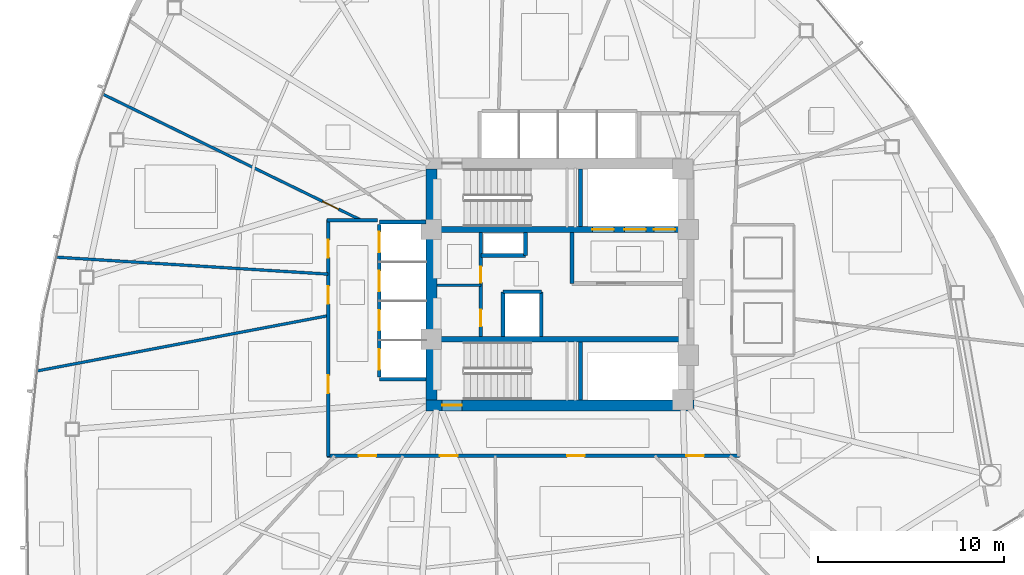
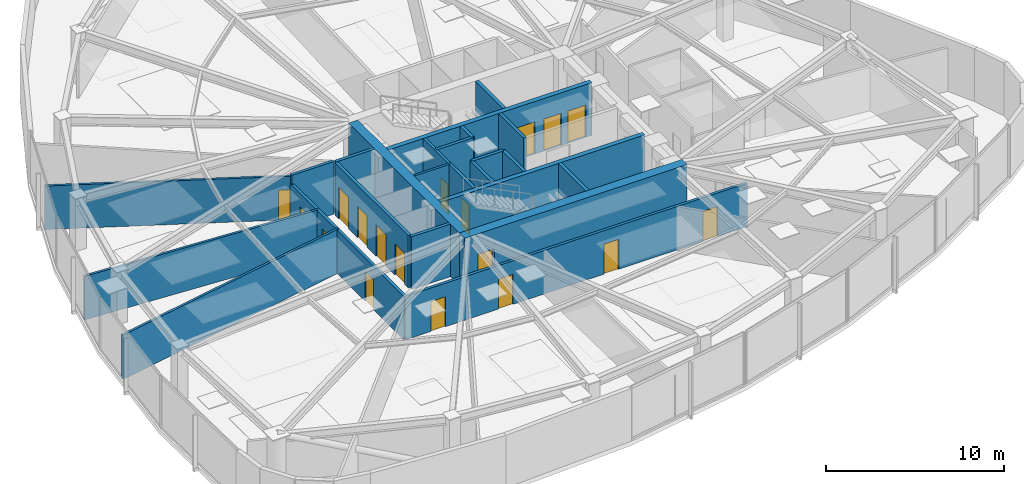
# One storey, part 11 of 17: 23 walls, 18 doors, 18 openings.
"""IFC4 building model written with IfcOpenShell, lengths in metres."""

from ifc_helpers import new_model, si_unit, direction, frame, frame_2d, origin, place, context, subcontext, project, spatial, rectangle, extrude, material, layer, layer_set, type_object, element, fill, save


model = new_model("IFC4")

# Units and contexts
model_context = context("Model", 3, precision=1e-05, world=origin(), true_north=direction((0.0, 1.0)))
body_context = subcontext(model_context, "Body", "Model", "MODEL_VIEW")
ifc_project = project(units=[si_unit("LENGTHUNIT", "METRE"), si_unit("AREAUNIT", "SQUARE_METRE"), si_unit("VOLUMEUNIT", "CUBIC_METRE"), si_unit("PLANEANGLEUNIT", "RADIAN"), si_unit("MASSUNIT", "GRAM", prefix="KILO")], contexts=[model_context])

# Site, building, storey
site_placement = place(None, origin())
site = spatial("IfcSite", under=ifc_project, at=site_placement, CompositionType="ELEMENT")
building_placement = place(site_placement, origin())
building = spatial("IfcBuilding", under=site, at=building_placement, Name="Tavelor Broadcast Tower", CompositionType="ELEMENT")
storey_placement = place(building_placement, frame((0.0, 0.0, 82.199951171875)))
storey = spatial("IfcBuildingStorey", under=building, at=storey_placement, Name="L19", CompositionType="ELEMENT", Elevation=82.199951171875)

# Wall, opening, door
ifc_material_1 = material(Name="Concrete C60/75", Category="concrete")
ifc_layer_1 = layer(ifc_material_1, 0.60009765625)
ifc_layer_set_1 = layer_set([ifc_layer_1], Name="Concrete C60/75")
wall_type_1 = type_object("IfcWallType", Name="Core Shear Wall 600 mm", PredefinedType="SHEAR", material=ifc_layer_set_1)
wall_1_placement = place(storey_placement, frame((42.800048828125, 38.5, 0.0), z_axis=(0.0, 0.0, 1.0), x_axis=(1.0, 0.0, 0.0)))
wall_1 = element("IfcWall", 1, at=wall_1_placement, inside=storey, type_object=wall_type_1, Name="L19 Central Core Shear Wall S", PredefinedType="SHEAR", context=body_context, shape_type="SweptSolid", body=[
    extrude(rectangle(XDim=14.39990234375, YDim=0.60009765625, at=frame_2d((7.199951171875, 0.0))), origin(), (0.0, 0.0, 1.0), 3.60009765625),
])
opening_1_placement = place(wall_1_placement, frame((0.8798828125, 0.0, 0.0)))
opening_1 = element("IfcOpeningElement", 2, at=opening_1_placement, cuts=wall_1, Name="Opening DR11", PredefinedType="OPENING", context=body_context, shape_type="SweptSolid", body=[
    extrude(rectangle(XDim=1.050048828125, YDim=2.199951171875, at=frame_2d((0.52490234375, 1.10009765625))), frame((0.0, 0.31005859375, 0.0), z_axis=(0.0, -1.0, 0.0), x_axis=(1.0, 0.0, 0.0)), (0.0, 0.0, 1.0), 0.6201171875),
])
ifc_material_2 = material(Name="Steel S355", Category="steel")
door_type_1 = type_object("IfcDoorType", Name="Stair Core Fire Escape Door 1050x2200", OperationType="NOTDEFINED", PredefinedType="DOOR", material=ifc_material_2)
door_1_placement = place(opening_1_placement, origin())
door_1 = element("IfcDoor", 3, at=door_1_placement, inside=storey, type_object=door_type_1, Name="L19 Stair ST2 Protected Exit Door", OperationType="SINGLE_SWING_RIGHT", OverallHeight=2.199951171875, OverallWidth=1.050048828125, PredefinedType="DOOR", context=body_context, shape_type="SweptSolid", body=[
    extrude(rectangle(XDim=1.050048828125, YDim=2.199951171875, at=frame_2d((0.52490234375, 1.10009765625))), frame((0.0, 0.02490234375, 0.0), z_axis=(0.0, -1.0, 0.0), x_axis=(1.0, 0.0, 0.0)), (0.0, 0.0, 1.0), 0.050048828125),
])
fill(opening_1, door_1)

# Wall
wall_2_placement = place(storey_placement, frame((43.10009765625, 38.800048828125, 0.0), z_axis=(0.0, 0.0, 1.0), x_axis=(0.0, 1.0, 0.0)))
element("IfcWall", 4, at=wall_2_placement, inside=storey, type_object=wall_type_1, Name="L19 Central Core Shear Wall W", PredefinedType="SHEAR", context=body_context, shape_type="SweptSolid", body=[
    extrude(rectangle(XDim=12.39990234375, YDim=0.60009765625, at=frame_2d((6.199951171875, 0.0))), origin(), (0.0, 0.0, 1.0), 3.60009765625),
])

# Wall, openings, doors
ifc_layer_2 = layer(ifc_material_1, 0.300048828125)
ifc_layer_set_2 = layer_set([ifc_layer_2], Name="Concrete C60/75")
wall_type_2 = type_object("IfcWallType", Name="Core Spine Shear Wall 300 mm C60", PredefinedType="SHEAR", material=ifc_layer_set_2)
wall_3_placement = place(storey_placement, frame((43.39990234375, 47.949951171875, 0.0), z_axis=(0.0, 0.0, 1.0), x_axis=(1.0, 0.0, 0.0)))
wall_3 = element("IfcWall", 5, at=wall_3_placement, inside=storey, type_object=wall_type_2, Name="L19 Central Core Shear Wall SP1", PredefinedType="SHEAR", context=body_context, shape_type="SweptSolid", body=[
    extrude(rectangle(XDim=13.2001953125, YDim=0.300048828125, at=frame_2d((6.60009765625, 0.0))), origin(), (0.0, 0.0, 1.0), 3.60009765625),
])
opening_2_placement = place(wall_3_placement, frame((8.344970703125, 0.0, 0.0)))
opening_2 = element("IfcOpeningElement", 6, at=opening_2_placement, cuts=wall_3, Name="Opening LD02", PredefinedType="OPENING", context=body_context, shape_type="SweptSolid", body=[
    extrude(rectangle(XDim=1.14990234375, YDim=2.199951171875, at=frame_2d((0.574951171875, 1.10009765625))), frame((0.0, 0.16015625, 0.0), z_axis=(0.0, -1.0, 0.0), x_axis=(1.0, 0.0, 0.0)), (0.0, 0.0, 1.0), 0.320068359375),
])
opening_3_placement = place(wall_3_placement, frame((10.06494140625, 0.0, 0.0)))
opening_3 = element("IfcOpeningElement", 7, at=opening_3_placement, cuts=wall_3, Name="Opening LD02", PredefinedType="OPENING", context=body_context, shape_type="SweptSolid", body=[
    extrude(rectangle(XDim=1.14990234375, YDim=2.199951171875, at=frame_2d((0.574951171875, 1.10009765625))), frame((0.0, 0.16015625, 0.0), z_axis=(0.0, -1.0, 0.0), x_axis=(1.0, 0.0, 0.0)), (0.0, 0.0, 1.0), 0.320068359375),
])
opening_4_placement = place(wall_3_placement, frame((11.64501953125, 0.0, 0.0)))
opening_4 = element("IfcOpeningElement", 8, at=opening_4_placement, cuts=wall_3, Name="Opening LD03", PredefinedType="OPENING", context=body_context, shape_type="SweptSolid", body=[
    extrude(rectangle(XDim=1.14990234375, YDim=2.199951171875, at=frame_2d((0.574951171875, 1.10009765625))), frame((0.0, 0.16015625, 0.0), z_axis=(0.0, -1.0, 0.0), x_axis=(1.0, 0.0, 0.0)), (0.0, 0.0, 1.0), 0.320068359375),
])
ifc_material_3 = material(Name="Reinforced Brushed Stainless Steel", Category="concrete")
door_type_2 = type_object("IfcDoorType", Name="Broadcast Goods Lift Sliding Landing Door 1250x2200", OperationType="NOTDEFINED", PredefinedType="DOOR", material=ifc_material_3)
door_2_placement = place(opening_4_placement, origin())
door_2 = element("IfcDoor", 9, at=door_2_placement, inside=storey, type_object=door_type_2, Name="L19 Lift SVL1 Sliding Landing Door", OperationType="SLIDING_TO_LEFT", OverallHeight=2.199951171875, OverallWidth=1.14990234375, PredefinedType="DOOR", context=body_context, shape_type="SweptSolid", body=[
    extrude(rectangle(XDim=1.14990234375, YDim=2.199951171875, at=frame_2d((0.574951171875, 1.10009765625))), frame((0.0, 0.02490234375, 0.0), z_axis=(0.0, -1.0, 0.0), x_axis=(1.0, 0.0, 0.0)), (0.0, 0.0, 1.0), 0.050048828125),
])
fill(opening_4, door_2)
ifc_material_4 = material(Name="Fire-Rated Stainless Steel", Category="steel")
door_type_3 = type_object("IfcDoorType", Name="Firefighting Lift Sliding Landing Door 1200x2200", OperationType="NOTDEFINED", PredefinedType="DOOR", material=ifc_material_4)
door_3_placement = place(opening_2_placement, origin())
door_3 = element("IfcDoor", 10, at=door_3_placement, inside=storey, type_object=door_type_3, Name="L19 Lift FFL1 Sliding Landing Door", OperationType="SLIDING_TO_LEFT", OverallHeight=2.199951171875, OverallWidth=1.14990234375, PredefinedType="DOOR", context=body_context, shape_type="SweptSolid", body=[
    extrude(rectangle(XDim=1.14990234375, YDim=2.199951171875, at=frame_2d((0.574951171875, 1.10009765625))), frame((0.0, 0.02490234375, 0.0), z_axis=(0.0, -1.0, 0.0), x_axis=(1.0, 0.0, 0.0)), (0.0, 0.0, 1.0), 0.050048828125),
])
fill(opening_2, door_3)
door_4_placement = place(opening_3_placement, origin())
door_4 = element("IfcDoor", 11, at=door_4_placement, inside=storey, type_object=door_type_3, Name="L19 Lift FFL2 Sliding Landing Door", OperationType="SLIDING_TO_LEFT", OverallHeight=2.199951171875, OverallWidth=1.14990234375, PredefinedType="DOOR", context=body_context, shape_type="SweptSolid", body=[
    extrude(rectangle(XDim=1.14990234375, YDim=2.199951171875, at=frame_2d((0.574951171875, 1.10009765625))), frame((0.0, 0.02490234375, 0.0), z_axis=(0.0, -1.0, 0.0), x_axis=(1.0, 0.0, 0.0)), (0.0, 0.0, 1.0), 0.050048828125),
])
fill(opening_3, door_4)

# Wall
wall_4_placement = place(storey_placement, frame((43.39990234375, 42.050048828125, 0.0), z_axis=(0.0, 0.0, 1.0), x_axis=(1.0, 0.0, 0.0)))
element("IfcWall", 12, at=wall_4_placement, inside=storey, type_object=wall_type_2, Name="L19 Central Core Shear Wall SP2", PredefinedType="SHEAR", context=body_context, shape_type="SweptSolid", body=[
    extrude(rectangle(XDim=13.2001953125, YDim=0.300048828125, at=frame_2d((6.60009765625, 0.0))), origin(), (0.0, 0.0, 1.0), 3.60009765625),
])

# Wall, openings, doors
ifc_material_5 = material(Name="Calcium Silicate Fire Board 180 mm", Category="gypsum")
ifc_layer_3 = layer(ifc_material_5, 0.179931640625)
ifc_layer_set_3 = layer_set([ifc_layer_3], Name="Calcium Silicate Fire Board 180 mm")
wall_type_3 = type_object("IfcWallType", Name="Fire-Rated Corridor Partition Wall 180 mm", PredefinedType="PARTITIONING", material=ifc_layer_set_3)
wall_5_placement = place(storey_placement, frame((45.75, 42.199951171875, 0.0), z_axis=(0.0, 0.0, 1.0), x_axis=(0.0, 1.0, 0.0)))
wall_5 = element("IfcWall", 13, at=wall_5_placement, inside=storey, type_object=wall_type_3, Name="L19 Core West Service East Wall", PredefinedType="PARTITIONING", context=body_context, shape_type="SweptSolid", body=[
    extrude(rectangle(XDim=5.60009765625, YDim=0.179931640625, at=frame_2d((2.800048828125, 0.0))), origin(), (0.0, 0.0, 1.0), 3.60009765625),
])
opening_5_placement = place(wall_5_placement, frame((0.550048828125, 0.0, 0.0)))
opening_5 = element("IfcOpeningElement", 14, at=opening_5_placement, cuts=wall_5, Name="Opening DR32", PredefinedType="OPENING", context=body_context, shape_type="SweptSolid", body=[
    extrude(rectangle(XDim=0.89990234375, YDim=2.050048828125, at=frame_2d((0.449951171875, 1.02490234375))), frame((0.0, 0.10009765625, 0.0), z_axis=(0.0, -1.0, 0.0), x_axis=(1.0, 0.0, 0.0)), (0.0, 0.0, 1.0), 0.199951171875),
])
opening_6_placement = place(wall_5_placement, frame((2.89990234375, 0.0, 0.0)))
opening_6 = element("IfcOpeningElement", 15, at=opening_6_placement, cuts=wall_5, Name="Opening DR36", PredefinedType="OPENING", context=body_context, shape_type="SweptSolid", body=[
    extrude(rectangle(XDim=0.85009765625, YDim=2.050048828125, at=frame_2d((0.425048828125, 1.02490234375))), frame((0.0, 0.10009765625, 0.0), z_axis=(0.0, -1.0, 0.0), x_axis=(1.0, 0.0, 0.0)), (0.0, 0.0, 1.0), 0.199951171875),
])
ifc_material_6 = material(Name="Timber Solid Core Hardwood", Category="wood")
door_type_4 = type_object("IfcDoorType", Name="Accessible Washroom Door 900x2050", OperationType="NOTDEFINED", PredefinedType="DOOR", material=ifc_material_6)
door_5_placement = place(opening_5_placement, origin())
door_5 = element("IfcDoor", 16, at=door_5_placement, inside=storey, type_object=door_type_4, Name="L19 Core Accessible WC Door", OperationType="SINGLE_SWING_LEFT", OverallHeight=2.050048828125, OverallWidth=0.89990234375, PredefinedType="DOOR", context=body_context, shape_type="SweptSolid", body=[
    extrude(rectangle(XDim=0.89990234375, YDim=2.050048828125, at=frame_2d((0.449951171875, 1.02490234375))), frame((0.0, 0.02490234375, 0.0), z_axis=(0.0, -1.0, 0.0), x_axis=(1.0, 0.0, 0.0)), (0.0, 0.0, 1.0), 0.050048828125),
])
fill(opening_5, door_5)
door_type_5 = type_object("IfcDoorType", Name="Service Room Fire Door 850x2050", OperationType="NOTDEFINED", PredefinedType="DOOR", material=ifc_material_2)
door_6_placement = place(opening_6_placement, origin())
door_6 = element("IfcDoor", 17, at=door_6_placement, inside=storey, type_object=door_type_5, Name="L19 Core Cleaner Store Door", OperationType="SINGLE_SWING_RIGHT", OverallHeight=2.050048828125, OverallWidth=0.85009765625, PredefinedType="DOOR", context=body_context, shape_type="SweptSolid", body=[
    extrude(rectangle(XDim=0.85009765625, YDim=2.050048828125, at=frame_2d((0.425048828125, 1.02490234375))), frame((0.0, 0.02490234375, 0.0), z_axis=(0.0, -1.0, 0.0), x_axis=(1.0, 0.0, 0.0)), (0.0, 0.0, 1.0), 0.050048828125),
])
fill(opening_6, door_6)

wall_6_placement = place(storey_placement, frame((59.64990234375, 35.800048828125, 0.0), z_axis=(0.0, 0.0, 1.0), x_axis=(-1.0, 0.0, 0.0)))
wall_6 = element("IfcWall", 18, at=wall_6_placement, inside=storey, type_object=wall_type_3, Name="L19 Corridor Compartment Wall 04", PredefinedType="PARTITIONING", context=body_context, shape_type="SweptSolid", body=[
    extrude(rectangle(XDim=22.14990234375, YDim=0.179931640625, at=frame_2d((11.074951171875, 0.0))), origin(), (0.0, 0.0, 1.0), 2.97509765625),
])
opening_7_placement = place(wall_6_placement, frame((1.9111328125, 0.0, 0.0)))
opening_7 = element("IfcOpeningElement", 19, at=opening_7_placement, cuts=wall_6, Name="Opening DR18", PredefinedType="OPENING", context=body_context, shape_type="SweptSolid", body=[
    extrude(rectangle(XDim=0.949951171875, YDim=2.050048828125, at=frame_2d((0.47509765625, 1.02490234375))), frame((0.0, 0.10009765625, 0.0), z_axis=(0.0, -1.0, 0.0), x_axis=(1.0, 0.0, 0.0)), (0.0, 0.0, 1.0), 0.199951171875),
])
opening_8_placement = place(wall_6_placement, frame((8.31396484375, 0.0, 0.0)))
opening_8 = element("IfcOpeningElement", 20, at=opening_8_placement, cuts=wall_6, Name="Opening DR18", PredefinedType="OPENING", context=body_context, shape_type="SweptSolid", body=[
    extrude(rectangle(XDim=0.949951171875, YDim=2.050048828125, at=frame_2d((0.47509765625, 1.02490234375))), frame((0.0, 0.10009765625, 0.0), z_axis=(0.0, -1.0, 0.0), x_axis=(1.0, 0.0, 0.0)), (0.0, 0.0, 1.0), 0.199951171875),
])
opening_9_placement = place(wall_6_placement, frame((15.14697265625, 0.0, 0.0)))
opening_9 = element("IfcOpeningElement", 21, at=opening_9_placement, cuts=wall_6, Name="Opening DR18", PredefinedType="OPENING", context=body_context, shape_type="SweptSolid", body=[
    extrude(rectangle(XDim=0.949951171875, YDim=2.050048828125, at=frame_2d((0.47509765625, 1.02490234375))), frame((0.0, 0.10009765625, 0.0), z_axis=(0.0, -1.0, 0.0), x_axis=(1.0, 0.0, 0.0)), (0.0, 0.0, 1.0), 0.199951171875),
])
opening_10_placement = place(wall_6_placement, frame((19.5166015625, 0.0, 0.0)))
opening_10 = element("IfcOpeningElement", 22, at=opening_10_placement, cuts=wall_6, Name="Opening DR18", PredefinedType="OPENING", context=body_context, shape_type="SweptSolid", body=[
    extrude(rectangle(XDim=0.949951171875, YDim=2.050048828125, at=frame_2d((0.47509765625, 1.02490234375))), frame((0.0, 0.10009765625, 0.0), z_axis=(0.0, -1.0, 0.0), x_axis=(1.0, 0.0, 0.0)), (0.0, 0.0, 1.0), 0.199951171875),
])
door_type_6 = type_object("IfcDoorType", Name="Corridor Rated Compartment Door 950x2050", OperationType="NOTDEFINED", PredefinedType="DOOR", material=ifc_material_6)
door_7_placement = place(opening_7_placement, origin())
door_7 = element("IfcDoor", 23, at=door_7_placement, inside=storey, type_object=door_type_6, Name="L19 Digital Publishing Workspace Door R0", OperationType="SINGLE_SWING_LEFT", OverallHeight=2.050048828125, OverallWidth=0.949951171875, PredefinedType="DOOR", context=body_context, shape_type="SweptSolid", body=[
    extrude(rectangle(XDim=0.949951171875, YDim=2.050048828125, at=frame_2d((0.47509765625, 1.02490234375))), frame((0.0, 0.02490234375, 0.0), z_axis=(0.0, -1.0, 0.0), x_axis=(1.0, 0.0, 0.0)), (0.0, 0.0, 1.0), 0.050048828125),
])
fill(opening_7, door_7)
door_8_placement = place(opening_8_placement, origin())
door_8 = element("IfcDoor", 24, at=door_8_placement, inside=storey, type_object=door_type_6, Name="L19 Broadcast Editorial Office Door R1", OperationType="SINGLE_SWING_RIGHT", OverallHeight=2.050048828125, OverallWidth=0.949951171875, PredefinedType="DOOR", context=body_context, shape_type="SweptSolid", body=[
    extrude(rectangle(XDim=0.949951171875, YDim=2.050048828125, at=frame_2d((0.47509765625, 1.02490234375))), frame((0.0, 0.02490234375, 0.0), z_axis=(0.0, -1.0, 0.0), x_axis=(1.0, 0.0, 0.0)), (0.0, 0.0, 1.0), 0.050048828125),
])
fill(opening_8, door_8)
door_9_placement = place(opening_9_placement, origin())
door_9 = element("IfcDoor", 25, at=door_9_placement, inside=storey, type_object=door_type_6, Name="L19 Investigative News Desk Door R2", OperationType="SINGLE_SWING_LEFT", OverallHeight=2.050048828125, OverallWidth=0.949951171875, PredefinedType="DOOR", context=body_context, shape_type="SweptSolid", body=[
    extrude(rectangle(XDim=0.949951171875, YDim=2.050048828125, at=frame_2d((0.47509765625, 1.02490234375))), frame((0.0, 0.02490234375, 0.0), z_axis=(0.0, -1.0, 0.0), x_axis=(1.0, 0.0, 0.0)), (0.0, 0.0, 1.0), 0.050048828125),
])
fill(opening_9, door_9)
door_10_placement = place(opening_10_placement, origin())
door_10 = element("IfcDoor", 26, at=door_10_placement, inside=storey, type_object=door_type_6, Name="L19 Syndication Legal Office Door R3", OperationType="SINGLE_SWING_RIGHT", OverallHeight=2.050048828125, OverallWidth=0.949951171875, PredefinedType="DOOR", context=body_context, shape_type="SweptSolid", body=[
    extrude(rectangle(XDim=0.949951171875, YDim=2.050048828125, at=frame_2d((0.47509765625, 1.02490234375))), frame((0.0, 0.02490234375, 0.0), z_axis=(0.0, -1.0, 0.0), x_axis=(1.0, 0.0, 0.0)), (0.0, 0.0, 1.0), 0.050048828125),
])
fill(opening_10, door_10)

wall_7_placement = place(storey_placement, frame((37.550048828125, 35.75, 0.0), z_axis=(0.0, 0.0, 1.0), x_axis=(0.0, 1.0, 0.0)))
wall_7 = element("IfcWall", 27, at=wall_7_placement, inside=storey, type_object=wall_type_3, Name="L19 Corridor Compartment Wall 05", PredefinedType="PARTITIONING", context=body_context, shape_type="SweptSolid", body=[
    extrude(rectangle(XDim=12.75, YDim=0.179931640625, at=frame_2d((6.375, 0.0))), origin(), (0.0, 0.0, 1.0), 2.97509765625),
])
opening_11_placement = place(wall_7_placement, frame((3.41650390625, 0.0, 0.0)))
opening_11 = element("IfcOpeningElement", 28, at=opening_11_placement, cuts=wall_7, Name="Opening DR18", PredefinedType="OPENING", context=body_context, shape_type="SweptSolid", body=[
    extrude(rectangle(XDim=0.949951171875, YDim=2.050048828125, at=frame_2d((0.47509765625, 1.02490234375))), frame((0.0, 0.10009765625, 0.0), z_axis=(0.0, -1.0, 0.0), x_axis=(1.0, 0.0, 0.0)), (0.0, 0.0, 1.0), 0.199951171875),
])
opening_12_placement = place(wall_7_placement, frame((8.204833984375, 0.0, 0.0)))
opening_12 = element("IfcOpeningElement", 29, at=opening_12_placement, cuts=wall_7, Name="Opening DR18", PredefinedType="OPENING", context=body_context, shape_type="SweptSolid", body=[
    extrude(rectangle(XDim=0.949951171875, YDim=2.050048828125, at=frame_2d((0.47509765625, 1.02490234375))), frame((0.0, 0.10009765625, 0.0), z_axis=(0.0, -1.0, 0.0), x_axis=(1.0, 0.0, 0.0)), (0.0, 0.0, 1.0), 0.199951171875),
])
opening_13_placement = place(wall_7_placement, frame((10.6865234375, 0.0, 0.0)))
opening_13 = element("IfcOpeningElement", 30, at=opening_13_placement, cuts=wall_7, Name="Opening DR18", PredefinedType="OPENING", context=body_context, shape_type="SweptSolid", body=[
    extrude(rectangle(XDim=0.949951171875, YDim=2.050048828125, at=frame_2d((0.47509765625, 1.02490234375))), frame((0.0, 0.10009765625, 0.0), z_axis=(0.0, -1.0, 0.0), x_axis=(1.0, 0.0, 0.0)), (0.0, 0.0, 1.0), 0.199951171875),
])
door_11_placement = place(opening_11_placement, origin())
door_11 = element("IfcDoor", 31, at=door_11_placement, inside=storey, type_object=door_type_6, Name="L19 International Bureau Office Door R4", OperationType="SINGLE_SWING_LEFT", OverallHeight=2.050048828125, OverallWidth=0.949951171875, PredefinedType="DOOR", context=body_context, shape_type="SweptSolid", body=[
    extrude(rectangle(XDim=0.949951171875, YDim=2.050048828125, at=frame_2d((0.47509765625, 1.02490234375))), frame((0.0, 0.02490234375, 0.0), z_axis=(0.0, -1.0, 0.0), x_axis=(1.0, 0.0, 0.0)), (0.0, 0.0, 1.0), 0.050048828125),
])
fill(opening_11, door_11)
door_12_placement = place(opening_12_placement, origin())
door_12 = element("IfcDoor", 32, at=door_12_placement, inside=storey, type_object=door_type_6, Name="L19 Documentary Planning Office Door R5", OperationType="SINGLE_SWING_RIGHT", OverallHeight=2.050048828125, OverallWidth=0.949951171875, PredefinedType="DOOR", context=body_context, shape_type="SweptSolid", body=[
    extrude(rectangle(XDim=0.949951171875, YDim=2.050048828125, at=frame_2d((0.47509765625, 1.02490234375))), frame((0.0, 0.02490234375, 0.0), z_axis=(0.0, -1.0, 0.0), x_axis=(1.0, 0.0, 0.0)), (0.0, 0.0, 1.0), 0.050048828125),
])
fill(opening_12, door_12)
door_13_placement = place(opening_13_placement, origin())
door_13 = element("IfcDoor", 33, at=door_13_placement, inside=storey, type_object=door_type_6, Name="L19 Digital Publishing Workspace Door R6", OperationType="SINGLE_SWING_LEFT", OverallHeight=2.050048828125, OverallWidth=0.949951171875, PredefinedType="DOOR", context=body_context, shape_type="SweptSolid", body=[
    extrude(rectangle(XDim=0.949951171875, YDim=2.050048828125, at=frame_2d((0.47509765625, 1.02490234375))), frame((0.0, 0.02490234375, 0.0), z_axis=(0.0, -1.0, 0.0), x_axis=(1.0, 0.0, 0.0)), (0.0, 0.0, 1.0), 0.050048828125),
])
fill(opening_13, door_13)

# Walls
wall_8_placement = place(storey_placement, frame((37.5, 48.449951171875, 0.0), z_axis=(0.0, 0.0, 1.0), x_axis=(1.0, 0.0, 0.0)))
element("IfcWall", 34, at=wall_8_placement, inside=storey, type_object=wall_type_3, Name="L19 Corridor Compartment Wall 06", PredefinedType="PARTITIONING", context=body_context, shape_type="SweptSolid", body=[
    extrude(rectangle(XDim=2.699951171875, YDim=0.179931640625, at=frame_2d((1.35009765625, 0.0))), origin(), (0.0, 0.0, 1.0), 3.60009765625),
])
ifc_material_7 = material(Name="Gypsum Acoustic Plasterboard 150 mm", Category="gypsum")
ifc_layer_4 = layer(ifc_material_7, 0.14990234375)
ifc_layer_set_4 = layer_set([ifc_layer_4], Name="Gypsum Acoustic Plasterboard 150 mm")
wall_type_4 = type_object("IfcWallType", Name="Interior Acoustic Partition Wall 150 mm", PredefinedType="PARTITIONING", material=ifc_layer_set_4)
wall_9_placement = place(storey_placement, frame((43.39990234375, 44.949951171875, 0.0), z_axis=(0.0, 0.0, 1.0), x_axis=(1.0, 0.0, 0.0)))
element("IfcWall", 35, at=wall_9_placement, inside=storey, type_object=wall_type_4, Name="L19 Core Split Wall A", PredefinedType="PARTITIONING", context=body_context, shape_type="SweptSolid", body=[
    extrude(rectangle(XDim=2.35009765625, YDim=0.14990234375, at=frame_2d((1.175048828125, 0.0))), origin(), (0.0, 0.0, 1.0), 3.60009765625),
])

# Wall, opening, door
wall_10_placement = place(storey_placement, frame((39.326416015625, 48.449951171875, 0.0), z_axis=(0.0, 0.0, 1.0), x_axis=(-0.89879396691, 0.438371309561, 0.0)))
wall_10 = element("IfcWall", 36, at=wall_10_placement, inside=storey, type_object=wall_type_4, Name="L19 Radial Compartment Wall 01", PredefinedType="PARTITIONING", context=body_context, shape_type="SweptSolid", body=[
    extrude(rectangle(XDim=15.444580078125, YDim=0.14990234375, at=frame_2d((7.72216796875, 0.0))), origin(), (0.0, 0.0, 1.0), 2.97509765625),
])
opening_14_placement = place(wall_10_placement, frame((1.35009765625, 0.0, 0.0)))
opening_14 = element("IfcOpeningElement", 37, at=opening_14_placement, cuts=wall_10, Name="Opening DR18", PredefinedType="OPENING", context=body_context, shape_type="SweptSolid", body=[
    extrude(rectangle(XDim=0.949951171875, YDim=2.050048828125, at=frame_2d((0.47509765625, 1.02490234375))), frame((0.0, 0.0849609375, 0.0), z_axis=(0.0, -1.0, 0.0), x_axis=(1.0, 0.0, 0.0)), (0.0, 0.0, 1.0), 0.169921875),
])
door_14_placement = place(opening_14_placement, origin())
door_14 = element("IfcDoor", 38, at=door_14_placement, inside=storey, type_object=door_type_6, Name="L19 Suite Connecting Door 7", OperationType="SINGLE_SWING_RIGHT", OverallHeight=2.050048828125, OverallWidth=0.949951171875, PredefinedType="DOOR", context=body_context, shape_type="SweptSolid", body=[
    extrude(rectangle(XDim=0.949951171875, YDim=2.050048828125, at=frame_2d((0.47509765625, 1.02490234375))), frame((0.0, 0.02490234375, 0.0), z_axis=(0.0, -1.0, 0.0), x_axis=(1.0, 0.0, 0.0)), (0.0, 0.0, 1.0), 0.050048828125),
])
fill(opening_14, door_14)

# Walls
wall_11_placement = place(storey_placement, frame((37.550048828125, 45.552001953125, 0.0), z_axis=(0.0, 0.0, 1.0), x_axis=(-0.998061005834, 0.062243301925, 0.0)))
element("IfcWall", 39, at=wall_11_placement, inside=storey, type_object=wall_type_4, Name="L19 Radial Compartment Wall 02", PredefinedType="PARTITIONING", context=body_context, shape_type="SweptSolid", body=[
    extrude(rectangle(XDim=14.63818359375, YDim=0.14990234375, at=frame_2d((7.319091796875, 0.0))), origin(), (0.0, 0.0, 1.0), 2.97509765625),
])
wall_12_placement = place(storey_placement, frame((37.550048828125, 43.3193359375, 0.0), z_axis=(0.0, 0.0, 1.0), x_axis=(-0.982440561117, -0.186575839467, 0.0)))
element("IfcWall", 40, at=wall_12_placement, inside=storey, type_object=wall_type_4, Name="L19 Radial Compartment Wall 03", PredefinedType="PARTITIONING", context=body_context, shape_type="SweptSolid", body=[
    extrude(rectangle(XDim=15.9208984375, YDim=0.14990234375, at=frame_2d((7.96044921875, 0.0))), origin(), (0.0, 0.0, 1.0), 3.025146484375),
])

# Wall, openings, doors
ifc_material_8 = material(Name="Concrete Blockwork 200 mm", Category="masonry")
ifc_layer_5 = layer(ifc_material_8, 0.199951171875)
ifc_layer_set_5 = layer_set([ifc_layer_5], Name="Concrete Blockwork 200 mm")
wall_type_5 = type_object("IfcWallType", Name="Lift Hoistway Rated Front Wall 200 mm", PredefinedType="PARTITIONING", material=ifc_layer_set_5)
wall_13_placement = place(storey_placement, frame((40.300048828125, 40.02001953125, 0.0), z_axis=(0.0, 0.0, 1.0), x_axis=(0.0, 1.0, 0.0)))
wall_13 = element("IfcWall", 41, at=wall_13_placement, inside=storey, type_object=wall_type_5, Name="L19 Low-Rise Lift Hoistway Front Wall", PredefinedType="PARTITIONING", context=body_context, shape_type="SweptSolid", body=[
    extrude(rectangle(XDim=8.2099609375, YDim=0.199951171875, at=frame_2d((4.10498046875, 0.0))), origin(), (0.0, 0.0, 1.0), 3.60009765625),
])
opening_15_placement = place(wall_13_placement, frame((0.405029296875, 0.0, 0.0)))
opening_15 = element("IfcOpeningElement", 42, at=opening_15_placement, cuts=wall_13, Name="Opening LD01", PredefinedType="OPENING", context=body_context, shape_type="SweptSolid", body=[
    extrude(rectangle(XDim=1.10009765625, YDim=2.14990234375, at=frame_2d((0.550048828125, 1.074951171875))), frame((0.0, 0.10986328125, 0.0), z_axis=(0.0, -1.0, 0.0), x_axis=(1.0, 0.0, 0.0)), (0.0, 0.0, 1.0), 0.219970703125),
])
opening_16_placement = place(wall_13_placement, frame((2.5048828125, 0.0, 0.0)))
opening_16 = element("IfcOpeningElement", 43, at=opening_16_placement, cuts=wall_13, Name="Opening LD01", PredefinedType="OPENING", context=body_context, shape_type="SweptSolid", body=[
    extrude(rectangle(XDim=1.10009765625, YDim=2.14990234375, at=frame_2d((0.550048828125, 1.074951171875))), frame((0.0, 0.10986328125, 0.0), z_axis=(0.0, -1.0, 0.0), x_axis=(1.0, 0.0, 0.0)), (0.0, 0.0, 1.0), 0.219970703125),
])
opening_17_placement = place(wall_13_placement, frame((4.60498046875, 0.0, 0.0)))
opening_17 = element("IfcOpeningElement", 44, at=opening_17_placement, cuts=wall_13, Name="Opening LD01", PredefinedType="OPENING", context=body_context, shape_type="SweptSolid", body=[
    extrude(rectangle(XDim=1.10009765625, YDim=2.14990234375, at=frame_2d((0.550048828125, 1.074951171875))), frame((0.0, 0.10986328125, 0.0), z_axis=(0.0, -1.0, 0.0), x_axis=(1.0, 0.0, 0.0)), (0.0, 0.0, 1.0), 0.219970703125),
])
opening_18_placement = place(wall_13_placement, frame((6.705078125, 0.0, 0.0)))
opening_18 = element("IfcOpeningElement", 45, at=opening_18_placement, cuts=wall_13, Name="Opening LD01", PredefinedType="OPENING", context=body_context, shape_type="SweptSolid", body=[
    extrude(rectangle(XDim=1.10009765625, YDim=2.14990234375, at=frame_2d((0.550048828125, 1.074951171875))), frame((0.0, 0.10986328125, 0.0), z_axis=(0.0, -1.0, 0.0), x_axis=(1.0, 0.0, 0.0)), (0.0, 0.0, 1.0), 0.219970703125),
])
ifc_material_9 = material(Name="Brushed Stainless Steel", Category="steel")
door_type_7 = type_object("IfcDoorType", Name="Passenger Lift Sliding Landing Door 1100x2150", OperationType="NOTDEFINED", PredefinedType="DOOR", material=ifc_material_9)
door_15_placement = place(opening_15_placement, origin())
door_15 = element("IfcDoor", 46, at=door_15_placement, inside=storey, type_object=door_type_7, Name="L19 Lift PLL1 Sliding Landing Door", OperationType="SLIDING_TO_LEFT", OverallHeight=2.14990234375, OverallWidth=1.10009765625, PredefinedType="DOOR", context=body_context, shape_type="SweptSolid", body=[
    extrude(rectangle(XDim=1.10009765625, YDim=2.14990234375, at=frame_2d((0.550048828125, 1.074951171875))), frame((0.0, 0.02490234375, 0.0), z_axis=(0.0, -1.0, 0.0), x_axis=(1.0, 0.0, 0.0)), (0.0, 0.0, 1.0), 0.050048828125),
])
fill(opening_15, door_15)
door_16_placement = place(opening_16_placement, origin())
door_16 = element("IfcDoor", 47, at=door_16_placement, inside=storey, type_object=door_type_7, Name="L19 Lift PLL2 Sliding Landing Door", OperationType="SLIDING_TO_RIGHT", OverallHeight=2.14990234375, OverallWidth=1.10009765625, PredefinedType="DOOR", context=body_context, shape_type="SweptSolid", body=[
    extrude(rectangle(XDim=1.10009765625, YDim=2.14990234375, at=frame_2d((0.550048828125, 1.074951171875))), frame((0.0, 0.02490234375, 0.0), z_axis=(0.0, -1.0, 0.0), x_axis=(1.0, 0.0, 0.0)), (0.0, 0.0, 1.0), 0.050048828125),
])
fill(opening_16, door_16)
door_17_placement = place(opening_17_placement, origin())
door_17 = element("IfcDoor", 48, at=door_17_placement, inside=storey, type_object=door_type_7, Name="L19 Lift PLL3 Sliding Landing Door", OperationType="SLIDING_TO_LEFT", OverallHeight=2.14990234375, OverallWidth=1.10009765625, PredefinedType="DOOR", context=body_context, shape_type="SweptSolid", body=[
    extrude(rectangle(XDim=1.10009765625, YDim=2.14990234375, at=frame_2d((0.550048828125, 1.074951171875))), frame((0.0, 0.02490234375, 0.0), z_axis=(0.0, -1.0, 0.0), x_axis=(1.0, 0.0, 0.0)), (0.0, 0.0, 1.0), 0.050048828125),
])
fill(opening_17, door_17)
door_18_placement = place(opening_18_placement, origin())
door_18 = element("IfcDoor", 49, at=door_18_placement, inside=storey, type_object=door_type_7, Name="L19 Lift PLL4 Sliding Landing Door", OperationType="SLIDING_TO_RIGHT", OverallHeight=2.14990234375, OverallWidth=1.10009765625, PredefinedType="DOOR", context=body_context, shape_type="SweptSolid", body=[
    extrude(rectangle(XDim=1.10009765625, YDim=2.14990234375, at=frame_2d((0.550048828125, 1.074951171875))), frame((0.0, 0.02490234375, 0.0), z_axis=(0.0, -1.0, 0.0), x_axis=(1.0, 0.0, 0.0)), (0.0, 0.0, 1.0), 0.050048828125),
])
fill(opening_18, door_18)

# Walls
wall_14_placement = place(storey_placement, frame((49.0, 42.199951171875, 0.0), z_axis=(0.0, 0.0, 1.0), x_axis=(0.0, 1.0, 0.0)))
element("IfcWall", 50, at=wall_14_placement, inside=storey, type_object=wall_type_5, Name="L19 Mid-Rise Lift PLM4 Hoistway Front Wall", PredefinedType="PARTITIONING", context=body_context, shape_type="SweptSolid", body=[
    extrude(rectangle(XDim=2.400146484375, YDim=0.199951171875, at=frame_2d((1.2001953125, 0.0))), origin(), (0.0, 0.0, 1.0), 3.60009765625),
])
ifc_layer_6 = layer(ifc_material_8, 0.199951171875)
ifc_layer_set_6 = layer_set([ifc_layer_6], Name="Concrete Blockwork 200 mm")
wall_type_6 = type_object("IfcWallType", Name="Lift and Riser Shaft Enclosure Wall 200 mm", PredefinedType="PARTITIONING", material=ifc_layer_set_6)
for number, where, z_axis, x_axis, name in (
    (51, (40.300048828125, 39.89990234375, 0.0), (0.0, 0.0, 1.0), (1.0, 0.0, 0.0), "L19 Low-Rise Lift Shaft South Wall"),
    (52, (40.300048828125, 48.35009765625, 0.0), (0.0, 0.0, 1.0), (1.0, 0.0, 0.0), "L19 Low-Rise Lift Shaft North Wall"),
):
    element("IfcWall", number, at=place(storey_placement, frame(where, z_axis=z_axis, x_axis=x_axis)), inside=storey, type_object=wall_type_6, Name=name, PredefinedType="PARTITIONING", context=body_context, shape_type="SweptSolid", body=[
        extrude(rectangle(XDim=2.5, YDim=0.199951171875, at=frame_2d((1.25, 0.0))), origin(), (0.0, 0.0, 1.0), 3.60009765625),
    ])
wall_15_placement = place(storey_placement, frame((45.75, 46.550048828125, 0.0), z_axis=(0.0, 0.0, 1.0), x_axis=(1.0, 0.0, 0.0)))
element("IfcWall", 53, at=wall_15_placement, inside=storey, type_object=wall_type_6, Name="L19 Riser Shaft South Wall", PredefinedType="PARTITIONING", context=body_context, shape_type="SweptSolid", body=[
    extrude(rectangle(XDim=2.39990234375, YDim=0.199951171875, at=frame_2d((1.199951171875, 0.0))), origin(), (0.0, 0.0, 1.0), 3.60009765625),
])
wall_16_placement = place(storey_placement, frame((48.14990234375, 46.550048828125, 0.0), z_axis=(0.0, 0.0, 1.0), x_axis=(0.0, 1.0, 0.0)))
element("IfcWall", 54, at=wall_16_placement, inside=storey, type_object=wall_type_6, Name="L19 Riser Shaft East Wall", PredefinedType="PARTITIONING", context=body_context, shape_type="SweptSolid", body=[
    extrude(rectangle(XDim=1.25, YDim=0.199951171875, at=frame_2d((0.625, 0.0))), origin(), (0.0, 0.0, 1.0), 3.60009765625),
])
wall_17_placement = place(storey_placement, frame((46.949951171875, 42.199951171875, 0.0), z_axis=(0.0, 0.0, 1.0), x_axis=(0.0, 1.0, 0.0)))
element("IfcWall", 55, at=wall_17_placement, inside=storey, type_object=wall_type_6, Name="L19 Mid-Rise Lift PLM4 West Wall", PredefinedType="PARTITIONING", context=body_context, shape_type="SweptSolid", body=[
    extrude(rectangle(XDim=2.400146484375, YDim=0.199951171875, at=frame_2d((1.2001953125, 0.0))), origin(), (0.0, 0.0, 1.0), 3.60009765625),
])
wall_18_placement = place(storey_placement, frame((46.949951171875, 44.60009765625, 0.0), z_axis=(0.0, 0.0, 1.0), x_axis=(1.0, 0.0, 0.0)))
element("IfcWall", 56, at=wall_18_placement, inside=storey, type_object=wall_type_6, Name="L19 Mid-Rise Lift PLM4 North Wall", PredefinedType="PARTITIONING", context=body_context, shape_type="SweptSolid", body=[
    extrude(rectangle(XDim=2.050048828125, YDim=0.199951171875, at=frame_2d((1.02490234375, 0.0))), origin(), (0.0, 0.0, 1.0), 3.60009765625),
])
wall_19_placement = place(storey_placement, frame((50.64990234375, 45.050048828125, 0.0), z_axis=(0.0, 0.0, 1.0), x_axis=(0.0, 1.0, 0.0)))
element("IfcWall", 57, at=wall_19_placement, inside=storey, type_object=wall_type_6, Name="L19 Firefighting Lobby West Wall", PredefinedType="PARTITIONING", context=body_context, shape_type="SweptSolid", body=[
    extrude(rectangle(XDim=2.75, YDim=0.199951171875, at=frame_2d((1.375, 0.0))), origin(), (0.0, 0.0, 1.0), 3.60009765625),
])
ifc_material_10 = material(Name="Concrete C40/50", Category="concrete")
ifc_layer_7 = layer(ifc_material_10, 0.219970703125)
ifc_layer_set_7 = layer_set([ifc_layer_7], Name="Concrete C40/50")
wall_type_7 = type_object("IfcWallType", Name="Structural Stairwell Shear Wall 220 mm", PredefinedType="SHEAR", material=ifc_layer_set_7)
for number, where, z_axis, x_axis, name in (
    (58, (51.110107421875, 48.10009765625, 0.0), (0.0, 0.0, 1.0), (0.0, 1.0, 0.0), "L19 Stair ST1 Structural Shaft Wall"),
    (59, (51.110107421875, 38.800048828125, 0.0), (0.0, 0.0, 1.0), (0.0, 1.0, 0.0), "L19 Stair ST2 Structural Shaft Wall"),
):
    element("IfcWall", number, at=place(storey_placement, frame(where, z_axis=z_axis, x_axis=x_axis)), inside=storey, type_object=wall_type_7, Name=name, PredefinedType="SHEAR", context=body_context, shape_type="SweptSolid", body=[
        extrude(rectangle(XDim=3.099853515625, YDim=0.219970703125, at=frame_2d((1.5498046875, 0.0))), origin(), (0.0, 0.0, 1.0), 3.60009765625),
    ])

save(model, "model.ifc")
